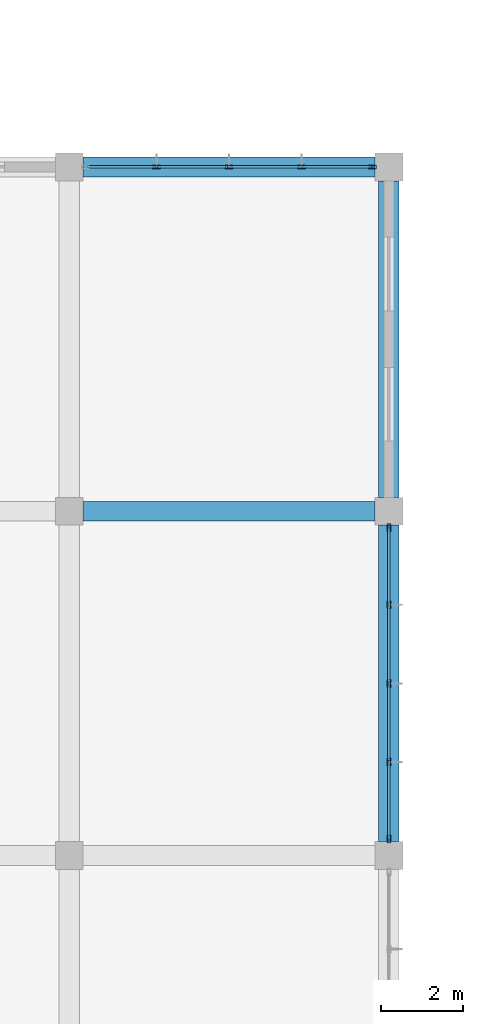
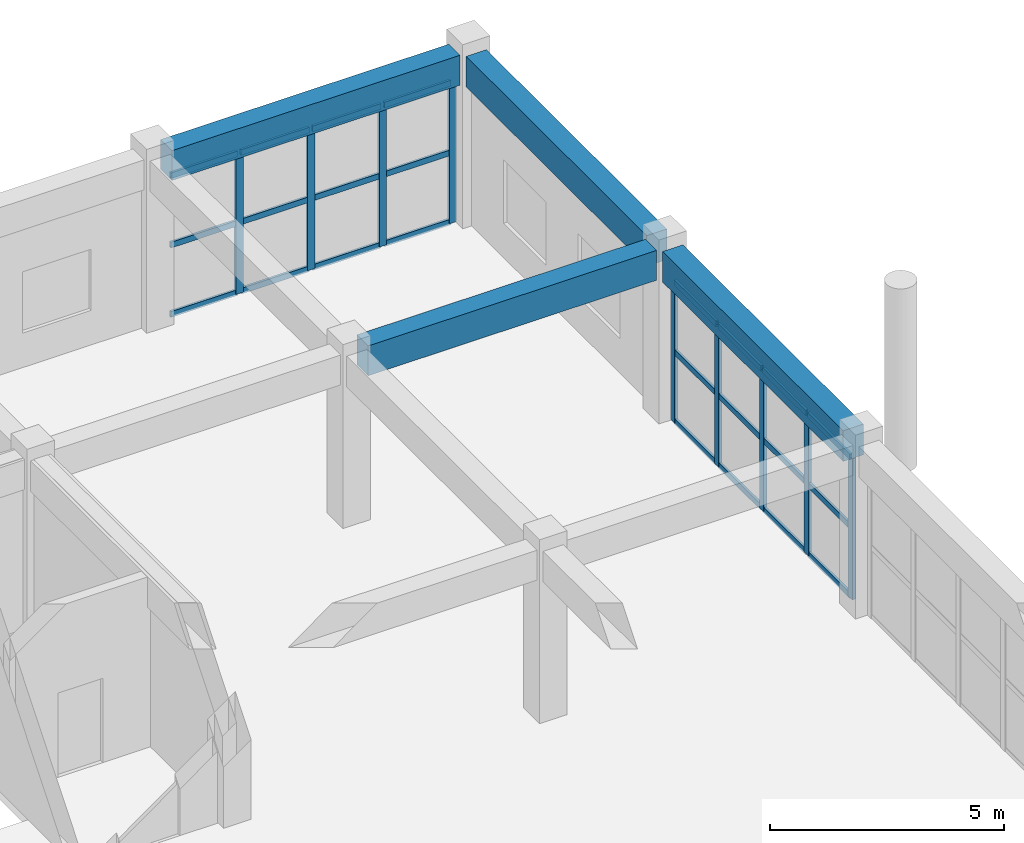
# One storey, part 121 of 175: 33 members, 4 beams, 2 elements without a shape of their own.
"""IFC4 building model written with IfcOpenShell, lengths in metres."""

from ifc_helpers import new_model, si_unit, direction, frame, origin, origin_2d, place, context, subcontext, project, spatial, rectangle, hollow_rectangle, extrude, material, layer, layer_set, material_profile, profile_set, type_object, element, aggregate, save


model = new_model("IFC4")

# Units and contexts
model_context = context("Model", 3, precision=1e-05, world=origin(), true_north=direction((0.0, 1.0)))
body_context = subcontext(model_context, "Body", "Model", "MODEL_VIEW")
ifc_project = project(units=[si_unit("LENGTHUNIT", "METRE"), si_unit("AREAUNIT", "SQUARE_METRE"), si_unit("VOLUMEUNIT", "CUBIC_METRE"), si_unit("PLANEANGLEUNIT", "RADIAN"), si_unit("MASSUNIT", "GRAM", prefix="KILO")], contexts=[model_context])

# Site, building, storey
site_placement = place(None, origin())
site = spatial("IfcSite", under=ifc_project, at=site_placement, CompositionType="ELEMENT")
building_placement = place(site_placement, origin())
building = spatial("IfcBuilding", under=site, at=building_placement, Name="Zizhar Promenade General Hospital", CompositionType="ELEMENT")
storey_placement = place(building_placement, frame((0.0, 0.0, 4.800048828125)))
storey = spatial("IfcBuildingStorey", under=building, at=storey_placement, Name="L01", CompositionType="ELEMENT", Elevation=4.800048828125)

# Beams
ifc_material_1 = material(Name="Concrete C35/45", Category="concrete")
ifc_material_profile_1 = material_profile(ifc_material_1, rectangle(XDim=0.47998046875, YDim=0.780029296875, at=origin_2d()))
ifc_profile_set_1 = profile_set([ifc_material_profile_1], Name="Concrete C35/45")
beam_type_1 = type_object("IfcBeamType", Name="BM-RC-480x780", PredefinedType="BEAM", material=ifc_profile_set_1)
for number, where, z_axis, x_axis, name in (
    (1, (187.5400390625, 100.800048828125, 4.079833984375), (1.0, 0.0, 0.0), (0.0, 1.0, 0.0), "Grid Beam X L01 (24-12)"),
    (2, (187.5400390625, 109.199951171875, 4.079833984375), (1.0, 0.0, 0.0), (0.0, 1.0, 0.0), "Grid Beam X L01 (24-13)"),
):
    element("IfcBeam", number, at=place(storey_placement, frame(where, z_axis=z_axis, x_axis=x_axis)), inside=storey, type_object=beam_type_1, Name=name, PredefinedType="BEAM", context=body_context, shape_type="SweptSolid", body=[
        extrude(rectangle(XDim=0.47998046875, YDim=0.780029296875, at=origin_2d()), origin(), (0.0, 0.0, 1.0), 7.119873046875),
    ])
ifc_material_2 = material(Name="Concrete C35/45", Category="concrete")
ifc_material_profile_2 = material_profile(ifc_material_2, rectangle(XDim=0.5, YDim=0.800048828125, at=origin_2d()))
ifc_profile_set_2 = profile_set([ifc_material_profile_2], Name="Concrete C35/45")
beam_type_2 = type_object("IfcBeamType", Name="BM-RC-500x800", PredefinedType="BEAM", material=ifc_profile_set_2)
beam_1_placement = place(storey_placement, frame((195.0, 92.739990234375, 4.070068359375), z_axis=(0.0, 1.0, 0.0), x_axis=(-1.0, 0.0, 0.0)))
element("IfcBeam", 3, at=beam_1_placement, inside=storey, type_object=beam_type_2, Name="Grid Beam Y L01 (25-11)", PredefinedType="BEAM", context=body_context, shape_type="SweptSolid", body=[
    extrude(rectangle(XDim=0.5, YDim=0.800048828125, at=origin_2d()), origin(), (0.0, 0.0, 1.0), 7.719970703125),
])
beam_2_placement = place(storey_placement, frame((195.0, 101.139892578125, 4.070068359375), z_axis=(0.0, 1.0, 0.0), x_axis=(-1.0, 0.0, 0.0)))
element("IfcBeam", 4, at=beam_2_placement, inside=storey, type_object=beam_type_2, Name="Grid Beam Y L01 (25-12)", PredefinedType="BEAM", context=body_context, shape_type="SweptSolid", body=[
    extrude(rectangle(XDim=0.5, YDim=0.800048828125, at=origin_2d()), origin(), (0.0, 0.0, 1.0), 7.72021484375),
])

# Curtain wall, members
ifc_material_3 = material(Name="Anodised aluminium 6063-T6 and low-E glass", Category="aluminium")
ifc_layer = layer(ifc_material_3, 0.159912109375)
ifc_layer_set = layer_set([ifc_layer], Name="Anodised aluminium 6063-T6 and low-E glass")
curtain_wall_type = type_object("IfcCurtainWallType", Name="CW-CLN-EXT", PredefinedType="NOTDEFINED", material=ifc_layer_set)
curtain_wall_1_placement = place(storey_placement, origin())
curtain_wall_1 = element("IfcCurtainWall", 5, at=curtain_wall_1_placement, inside=storey, type_object=curtain_wall_type, Name="Outpatient North Curtain Wall L01-24", PredefinedType="NOTDEFINED")
ifc_material_4 = material(Name="Anodised aluminium 6063-T6", Category="aluminium")
ifc_material_profile_3 = material_profile(ifc_material_4, hollow_rectangle(XDim=0.080078125, YDim=0.179931640625, WallThickness=0.0048828125, at=origin_2d()))
ifc_profile_set_3 = profile_set([ifc_material_profile_3], Name="Anodised aluminium 6063-T6")
member_type_1 = type_object("IfcMemberType", Name="CWM-ALU-180x80", PredefinedType="MULLION", material=ifc_profile_set_3)
member_1_placement = place(storey_placement, frame((189.330078125, 109.199951171875, 0.0), z_axis=(0.0, 0.0, 1.0), x_axis=(0.0, 1.0, 0.0)))
member_1 = element("IfcMember", 6, at=member_1_placement, type_object=member_type_1, Name="CW-09 mullion 2", PredefinedType="MULLION", context=body_context, shape_type="SweptSolid", body=[
    extrude(hollow_rectangle(XDim=0.080078125, YDim=0.179931640625, WallThickness=0.0048828125, at=origin_2d()), origin(), (0.0, 0.0, 1.0), 3.679931640625),
])
member_2_placement = place(storey_placement, frame((191.10009765625, 109.199951171875, 0.0), z_axis=(0.0, 0.0, 1.0), x_axis=(0.0, 1.0, 0.0)))
member_2 = element("IfcMember", 7, at=member_2_placement, type_object=member_type_1, Name="CW-09 mullion 3", PredefinedType="MULLION", context=body_context, shape_type="SweptSolid", body=[
    extrude(hollow_rectangle(XDim=0.080078125, YDim=0.179931640625, WallThickness=0.0048828125, at=origin_2d()), origin(), (0.0, 0.0, 1.0), 3.679931640625),
])
member_3_placement = place(storey_placement, frame((192.8701171875, 109.199951171875, 0.0), z_axis=(0.0, 0.0, 1.0), x_axis=(0.0, 1.0, 0.0)))
member_3 = element("IfcMember", 8, at=member_3_placement, type_object=member_type_1, Name="CW-09 mullion 4", PredefinedType="MULLION", context=body_context, shape_type="SweptSolid", body=[
    extrude(hollow_rectangle(XDim=0.080078125, YDim=0.179931640625, WallThickness=0.0048828125, at=origin_2d()), origin(), (0.0, 0.0, 1.0), 3.679931640625),
])
member_4_placement = place(storey_placement, frame((194.60009765625, 109.199951171875, 0.0), z_axis=(0.0, 0.0, 1.0), x_axis=(0.0, 1.0, 0.0)))
member_4 = element("IfcMember", 9, at=member_4_placement, type_object=member_type_1, Name="CW-09 mullion 5", PredefinedType="MULLION", context=body_context, shape_type="SweptSolid", body=[
    extrude(hollow_rectangle(XDim=0.080078125, YDim=0.179931640625, WallThickness=0.0048828125, at=origin_2d()), origin(), (0.0, 0.0, 1.0), 3.679931640625),
])

curtain_wall_2_placement = place(storey_placement, origin())
curtain_wall_2 = element("IfcCurtainWall", 10, at=curtain_wall_2_placement, inside=storey, type_object=curtain_wall_type, Name="Outpatient East Curtain Wall L01-11", PredefinedType="NOTDEFINED")
member_5_placement = place(storey_placement, frame((195.0, 100.39990234375, 0.0), z_axis=(0.0, 0.0, 1.0), x_axis=(1.0, 0.0, 0.0)))
member_5 = element("IfcMember", 11, at=member_5_placement, type_object=member_type_1, Name="CW-09 mullion 1", PredefinedType="MULLION", context=body_context, shape_type="SweptSolid", body=[
    extrude(hollow_rectangle(XDim=0.080078125, YDim=0.179931640625, WallThickness=0.0048828125, at=origin_2d()), origin(), (0.0, 0.0, 1.0), 3.679931640625),
])
member_6_placement = place(storey_placement, frame((195.0, 98.52001953125, 0.0), z_axis=(0.0, 0.0, 1.0), x_axis=(1.0, 0.0, 0.0)))
member_6 = element("IfcMember", 12, at=member_6_placement, type_object=member_type_1, Name="CW-09 mullion 2", PredefinedType="MULLION", context=body_context, shape_type="SweptSolid", body=[
    extrude(hollow_rectangle(XDim=0.080078125, YDim=0.179931640625, WallThickness=0.0048828125, at=origin_2d()), origin(), (0.0, 0.0, 1.0), 3.679931640625),
])
member_7_placement = place(storey_placement, frame((195.0, 96.60009765625, 0.0), z_axis=(0.0, 0.0, 1.0), x_axis=(1.0, 0.0, 0.0)))
member_7 = element("IfcMember", 13, at=member_7_placement, type_object=member_type_1, Name="CW-09 mullion 3", PredefinedType="MULLION", context=body_context, shape_type="SweptSolid", body=[
    extrude(hollow_rectangle(XDim=0.080078125, YDim=0.179931640625, WallThickness=0.0048828125, at=origin_2d()), origin(), (0.0, 0.0, 1.0), 3.679931640625),
])
member_8_placement = place(storey_placement, frame((195.0, 94.679931640625, 0.0), z_axis=(0.0, 0.0, 1.0), x_axis=(1.0, 0.0, 0.0)))
member_8 = element("IfcMember", 14, at=member_8_placement, type_object=member_type_1, Name="CW-09 mullion 4", PredefinedType="MULLION", context=body_context, shape_type="SweptSolid", body=[
    extrude(hollow_rectangle(XDim=0.080078125, YDim=0.179931640625, WallThickness=0.0048828125, at=origin_2d()), origin(), (0.0, 0.0, 1.0), 3.679931640625),
])
member_9_placement = place(storey_placement, frame((195.0, 92.800048828125, 0.0), z_axis=(0.0, 0.0, 1.0), x_axis=(1.0, 0.0, 0.0)))
member_9 = element("IfcMember", 15, at=member_9_placement, type_object=member_type_1, Name="CW-09 mullion 5", PredefinedType="MULLION", context=body_context, shape_type="SweptSolid", body=[
    extrude(hollow_rectangle(XDim=0.080078125, YDim=0.179931640625, WallThickness=0.0048828125, at=origin_2d()), origin(), (0.0, 0.0, 1.0), 3.679931640625),
])

# Member
ifc_material_5 = material(Name="Anodised aluminium 6063-T6", Category="aluminium")
ifc_material_profile_4 = material_profile(ifc_material_5, hollow_rectangle(XDim=0.06005859375, YDim=0.14990234375, WallThickness=0.00390625, at=origin_2d()))
ifc_profile_set_4 = profile_set([ifc_material_profile_4], Name="Anodised aluminium 6063-T6")
member_type_2 = type_object("IfcMemberType", Name="CWT-ALU-150x60", PredefinedType="USERDEFINED", material=ifc_profile_set_4)
member_10_placement = place(storey_placement, frame((187.639892578125, 109.199951171875, 0.030029296875), z_axis=(1.0, 0.0, 0.0), x_axis=(0.0, 1.0, 0.0)))
member_10 = element("IfcMember", 16, at=member_10_placement, type_object=member_type_2, Name="CW-09 transom 1.1", ObjectType="TRANSOM", PredefinedType="USERDEFINED", context=body_context, shape_type="SweptSolid", body=[
    extrude(hollow_rectangle(XDim=0.06005859375, YDim=0.14990234375, WallThickness=0.00390625, at=origin_2d()), origin(), (0.0, 0.0, 1.0), 1.650146484375),
])

member_11_placement = place(storey_placement, frame((187.639892578125, 109.199951171875, 1.83984375), z_axis=(1.0, 0.0, 0.0), x_axis=(0.0, 1.0, 0.0)))
member_11 = element("IfcMember", 17, at=member_11_placement, type_object=member_type_2, Name="CW-09 transom 1.2", ObjectType="TRANSOM", PredefinedType="USERDEFINED", context=body_context, shape_type="SweptSolid", body=[
    extrude(hollow_rectangle(XDim=0.06005859375, YDim=0.14990234375, WallThickness=0.00390625, at=origin_2d()), origin(), (0.0, 0.0, 1.0), 1.650146484375),
])

member_12_placement = place(storey_placement, frame((187.639892578125, 109.199951171875, 3.64990234375), z_axis=(1.0, 0.0, 0.0), x_axis=(0.0, 1.0, 0.0)))
member_12 = element("IfcMember", 18, at=member_12_placement, type_object=member_type_2, Name="CW-09 transom 1.3", ObjectType="TRANSOM", PredefinedType="USERDEFINED", context=body_context, shape_type="SweptSolid", body=[
    extrude(hollow_rectangle(XDim=0.06005859375, YDim=0.14990234375, WallThickness=0.00390625, at=origin_2d()), origin(), (0.0, 0.0, 1.0), 1.650146484375),
])

member_13_placement = place(storey_placement, frame((189.3701171875, 109.199951171875, 0.030029296875), z_axis=(1.0, 0.0, 0.0), x_axis=(0.0, 1.0, 0.0)))
member_13 = element("IfcMember", 19, at=member_13_placement, type_object=member_type_2, Name="CW-09 transom 2.1", ObjectType="TRANSOM", PredefinedType="USERDEFINED", context=body_context, shape_type="SweptSolid", body=[
    extrude(hollow_rectangle(XDim=0.06005859375, YDim=0.14990234375, WallThickness=0.00390625, at=origin_2d()), origin(), (0.0, 0.0, 1.0), 1.68994140625),
])

member_14_placement = place(storey_placement, frame((189.3701171875, 109.199951171875, 1.83984375), z_axis=(1.0, 0.0, 0.0), x_axis=(0.0, 1.0, 0.0)))
member_14 = element("IfcMember", 20, at=member_14_placement, type_object=member_type_2, Name="CW-09 transom 2.2", ObjectType="TRANSOM", PredefinedType="USERDEFINED", context=body_context, shape_type="SweptSolid", body=[
    extrude(hollow_rectangle(XDim=0.06005859375, YDim=0.14990234375, WallThickness=0.00390625, at=origin_2d()), origin(), (0.0, 0.0, 1.0), 1.68994140625),
])

member_15_placement = place(storey_placement, frame((189.3701171875, 109.199951171875, 3.64990234375), z_axis=(1.0, 0.0, 0.0), x_axis=(0.0, 1.0, 0.0)))
member_15 = element("IfcMember", 21, at=member_15_placement, type_object=member_type_2, Name="CW-09 transom 2.3", ObjectType="TRANSOM", PredefinedType="USERDEFINED", context=body_context, shape_type="SweptSolid", body=[
    extrude(hollow_rectangle(XDim=0.06005859375, YDim=0.14990234375, WallThickness=0.00390625, at=origin_2d()), origin(), (0.0, 0.0, 1.0), 1.68994140625),
])

member_16_placement = place(storey_placement, frame((191.139892578125, 109.199951171875, 0.030029296875), z_axis=(1.0, 0.0, 0.0), x_axis=(0.0, 1.0, 0.0)))
member_16 = element("IfcMember", 22, at=member_16_placement, type_object=member_type_2, Name="CW-09 transom 3.1", ObjectType="TRANSOM", PredefinedType="USERDEFINED", context=body_context, shape_type="SweptSolid", body=[
    extrude(hollow_rectangle(XDim=0.06005859375, YDim=0.14990234375, WallThickness=0.00390625, at=origin_2d()), origin(), (0.0, 0.0, 1.0), 1.690185546875),
])

member_17_placement = place(storey_placement, frame((191.139892578125, 109.199951171875, 1.83984375), z_axis=(1.0, 0.0, 0.0), x_axis=(0.0, 1.0, 0.0)))
member_17 = element("IfcMember", 23, at=member_17_placement, type_object=member_type_2, Name="CW-09 transom 3.2", ObjectType="TRANSOM", PredefinedType="USERDEFINED", context=body_context, shape_type="SweptSolid", body=[
    extrude(hollow_rectangle(XDim=0.06005859375, YDim=0.14990234375, WallThickness=0.00390625, at=origin_2d()), origin(), (0.0, 0.0, 1.0), 1.690185546875),
])

member_18_placement = place(storey_placement, frame((191.139892578125, 109.199951171875, 3.64990234375), z_axis=(1.0, 0.0, 0.0), x_axis=(0.0, 1.0, 0.0)))
member_18 = element("IfcMember", 24, at=member_18_placement, type_object=member_type_2, Name="CW-09 transom 3.3", ObjectType="TRANSOM", PredefinedType="USERDEFINED", context=body_context, shape_type="SweptSolid", body=[
    extrude(hollow_rectangle(XDim=0.06005859375, YDim=0.14990234375, WallThickness=0.00390625, at=origin_2d()), origin(), (0.0, 0.0, 1.0), 1.690185546875),
])

member_19_placement = place(storey_placement, frame((192.909912109375, 109.199951171875, 0.030029296875), z_axis=(1.0, 0.0, 0.0), x_axis=(0.0, 1.0, 0.0)))
member_19 = element("IfcMember", 25, at=member_19_placement, type_object=member_type_2, Name="CW-09 transom 4.1", ObjectType="TRANSOM", PredefinedType="USERDEFINED", context=body_context, shape_type="SweptSolid", body=[
    extrude(hollow_rectangle(XDim=0.06005859375, YDim=0.14990234375, WallThickness=0.00390625, at=origin_2d()), origin(), (0.0, 0.0, 1.0), 1.650146484375),
])

member_20_placement = place(storey_placement, frame((192.909912109375, 109.199951171875, 1.83984375), z_axis=(1.0, 0.0, 0.0), x_axis=(0.0, 1.0, 0.0)))
member_20 = element("IfcMember", 26, at=member_20_placement, type_object=member_type_2, Name="CW-09 transom 4.2", ObjectType="TRANSOM", PredefinedType="USERDEFINED", context=body_context, shape_type="SweptSolid", body=[
    extrude(hollow_rectangle(XDim=0.06005859375, YDim=0.14990234375, WallThickness=0.00390625, at=origin_2d()), origin(), (0.0, 0.0, 1.0), 1.650146484375),
])

member_21_placement = place(storey_placement, frame((192.909912109375, 109.199951171875, 3.64990234375), z_axis=(1.0, 0.0, 0.0), x_axis=(0.0, 1.0, 0.0)))
member_21 = element("IfcMember", 27, at=member_21_placement, type_object=member_type_2, Name="CW-09 transom 4.3", ObjectType="TRANSOM", PredefinedType="USERDEFINED", context=body_context, shape_type="SweptSolid", body=[
    extrude(hollow_rectangle(XDim=0.06005859375, YDim=0.14990234375, WallThickness=0.00390625, at=origin_2d()), origin(), (0.0, 0.0, 1.0), 1.650146484375),
])

aggregate(curtain_wall_1, [member_1, member_2, member_3, member_4, member_10, member_11, member_12, member_13, member_14, member_15, member_16, member_17, member_18, member_19, member_20, member_21])

member_22_placement = place(storey_placement, frame((195.0, 100.360107421875, 0.030029296875), z_axis=(0.0, -1.0, 0.0), x_axis=(1.0, 0.0, 0.0)))
member_22 = element("IfcMember", 28, at=member_22_placement, type_object=member_type_2, Name="CW-09 transom 1.1", ObjectType="TRANSOM", PredefinedType="USERDEFINED", context=body_context, shape_type="SweptSolid", body=[
    extrude(hollow_rectangle(XDim=0.06005859375, YDim=0.14990234375, WallThickness=0.00390625, at=origin_2d()), origin(), (0.0, 0.0, 1.0), 1.800048828125),
])

member_23_placement = place(storey_placement, frame((195.0, 100.360107421875, 1.83984375), z_axis=(0.0, -1.0, 0.0), x_axis=(1.0, 0.0, 0.0)))
member_23 = element("IfcMember", 29, at=member_23_placement, type_object=member_type_2, Name="CW-09 transom 1.2", ObjectType="TRANSOM", PredefinedType="USERDEFINED", context=body_context, shape_type="SweptSolid", body=[
    extrude(hollow_rectangle(XDim=0.06005859375, YDim=0.14990234375, WallThickness=0.00390625, at=origin_2d()), origin(), (0.0, 0.0, 1.0), 1.800048828125),
])

member_24_placement = place(storey_placement, frame((195.0, 100.360107421875, 3.64990234375), z_axis=(0.0, -1.0, 0.0), x_axis=(1.0, 0.0, 0.0)))
member_24 = element("IfcMember", 30, at=member_24_placement, type_object=member_type_2, Name="CW-09 transom 1.3", ObjectType="TRANSOM", PredefinedType="USERDEFINED", context=body_context, shape_type="SweptSolid", body=[
    extrude(hollow_rectangle(XDim=0.06005859375, YDim=0.14990234375, WallThickness=0.00390625, at=origin_2d()), origin(), (0.0, 0.0, 1.0), 1.800048828125),
])

member_25_placement = place(storey_placement, frame((195.0, 98.47998046875, 0.030029296875), z_axis=(0.0, -1.0, 0.0), x_axis=(1.0, 0.0, 0.0)))
member_25 = element("IfcMember", 31, at=member_25_placement, type_object=member_type_2, Name="CW-09 transom 2.1", ObjectType="TRANSOM", PredefinedType="USERDEFINED", context=body_context, shape_type="SweptSolid", body=[
    extrude(hollow_rectangle(XDim=0.06005859375, YDim=0.14990234375, WallThickness=0.00390625, at=origin_2d()), origin(), (0.0, 0.0, 1.0), 1.840087890625),
])

member_26_placement = place(storey_placement, frame((195.0, 98.47998046875, 1.83984375), z_axis=(0.0, -1.0, 0.0), x_axis=(1.0, 0.0, 0.0)))
member_26 = element("IfcMember", 32, at=member_26_placement, type_object=member_type_2, Name="CW-09 transom 2.2", ObjectType="TRANSOM", PredefinedType="USERDEFINED", context=body_context, shape_type="SweptSolid", body=[
    extrude(hollow_rectangle(XDim=0.06005859375, YDim=0.14990234375, WallThickness=0.00390625, at=origin_2d()), origin(), (0.0, 0.0, 1.0), 1.840087890625),
])

member_27_placement = place(storey_placement, frame((195.0, 98.47998046875, 3.64990234375), z_axis=(0.0, -1.0, 0.0), x_axis=(1.0, 0.0, 0.0)))
member_27 = element("IfcMember", 33, at=member_27_placement, type_object=member_type_2, Name="CW-09 transom 2.3", ObjectType="TRANSOM", PredefinedType="USERDEFINED", context=body_context, shape_type="SweptSolid", body=[
    extrude(hollow_rectangle(XDim=0.06005859375, YDim=0.14990234375, WallThickness=0.00390625, at=origin_2d()), origin(), (0.0, 0.0, 1.0), 1.840087890625),
])

member_28_placement = place(storey_placement, frame((195.0, 96.56005859375, 0.030029296875), z_axis=(0.0, -1.0, 0.0), x_axis=(1.0, 0.0, 0.0)))
member_28 = element("IfcMember", 34, at=member_28_placement, type_object=member_type_2, Name="CW-09 transom 3.1", ObjectType="TRANSOM", PredefinedType="USERDEFINED", context=body_context, shape_type="SweptSolid", body=[
    extrude(hollow_rectangle(XDim=0.06005859375, YDim=0.14990234375, WallThickness=0.00390625, at=origin_2d()), origin(), (0.0, 0.0, 1.0), 1.840087890625),
])

member_29_placement = place(storey_placement, frame((195.0, 96.56005859375, 1.83984375), z_axis=(0.0, -1.0, 0.0), x_axis=(1.0, 0.0, 0.0)))
member_29 = element("IfcMember", 35, at=member_29_placement, type_object=member_type_2, Name="CW-09 transom 3.2", ObjectType="TRANSOM", PredefinedType="USERDEFINED", context=body_context, shape_type="SweptSolid", body=[
    extrude(hollow_rectangle(XDim=0.06005859375, YDim=0.14990234375, WallThickness=0.00390625, at=origin_2d()), origin(), (0.0, 0.0, 1.0), 1.840087890625),
])

member_30_placement = place(storey_placement, frame((195.0, 96.56005859375, 3.64990234375), z_axis=(0.0, -1.0, 0.0), x_axis=(1.0, 0.0, 0.0)))
member_30 = element("IfcMember", 36, at=member_30_placement, type_object=member_type_2, Name="CW-09 transom 3.3", ObjectType="TRANSOM", PredefinedType="USERDEFINED", context=body_context, shape_type="SweptSolid", body=[
    extrude(hollow_rectangle(XDim=0.06005859375, YDim=0.14990234375, WallThickness=0.00390625, at=origin_2d()), origin(), (0.0, 0.0, 1.0), 1.840087890625),
])

member_31_placement = place(storey_placement, frame((195.0, 94.639892578125, 0.030029296875), z_axis=(0.0, -1.0, 0.0), x_axis=(1.0, 0.0, 0.0)))
member_31 = element("IfcMember", 37, at=member_31_placement, type_object=member_type_2, Name="CW-09 transom 4.1", ObjectType="TRANSOM", PredefinedType="USERDEFINED", context=body_context, shape_type="SweptSolid", body=[
    extrude(hollow_rectangle(XDim=0.06005859375, YDim=0.14990234375, WallThickness=0.00390625, at=origin_2d()), origin(), (0.0, 0.0, 1.0), 1.7998046875),
])

member_32_placement = place(storey_placement, frame((195.0, 94.639892578125, 1.83984375), z_axis=(0.0, -1.0, 0.0), x_axis=(1.0, 0.0, 0.0)))
member_32 = element("IfcMember", 38, at=member_32_placement, type_object=member_type_2, Name="CW-09 transom 4.2", ObjectType="TRANSOM", PredefinedType="USERDEFINED", context=body_context, shape_type="SweptSolid", body=[
    extrude(hollow_rectangle(XDim=0.06005859375, YDim=0.14990234375, WallThickness=0.00390625, at=origin_2d()), origin(), (0.0, 0.0, 1.0), 1.7998046875),
])

member_33_placement = place(storey_placement, frame((195.0, 94.639892578125, 3.64990234375), z_axis=(0.0, -1.0, 0.0), x_axis=(1.0, 0.0, 0.0)))
member_33 = element("IfcMember", 39, at=member_33_placement, type_object=member_type_2, Name="CW-09 transom 4.3", ObjectType="TRANSOM", PredefinedType="USERDEFINED", context=body_context, shape_type="SweptSolid", body=[
    extrude(hollow_rectangle(XDim=0.06005859375, YDim=0.14990234375, WallThickness=0.00390625, at=origin_2d()), origin(), (0.0, 0.0, 1.0), 1.7998046875),
])

aggregate(curtain_wall_2, [member_5, member_6, member_7, member_8, member_9, member_22, member_23, member_24, member_25, member_26, member_27, member_28, member_29, member_30, member_31, member_32, member_33])

save(model, "model.ifc")
